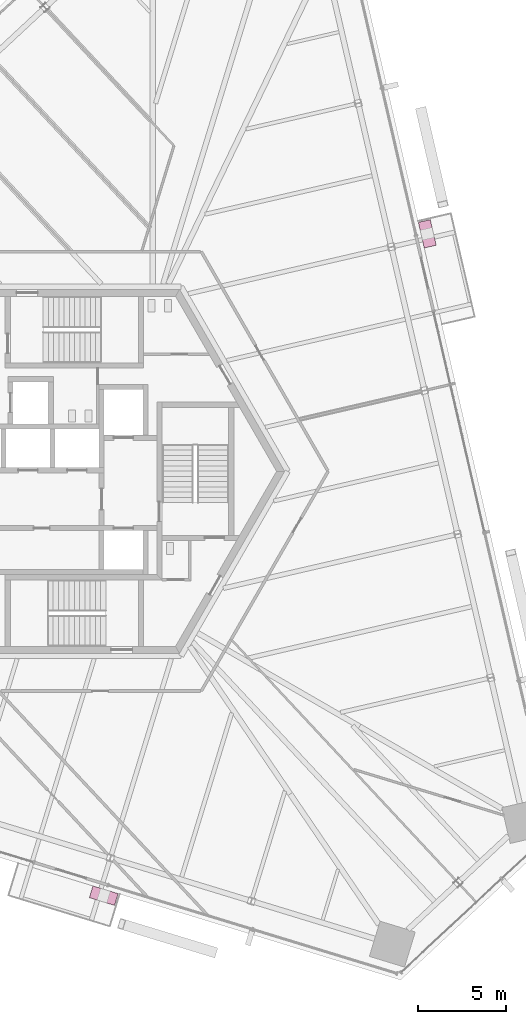
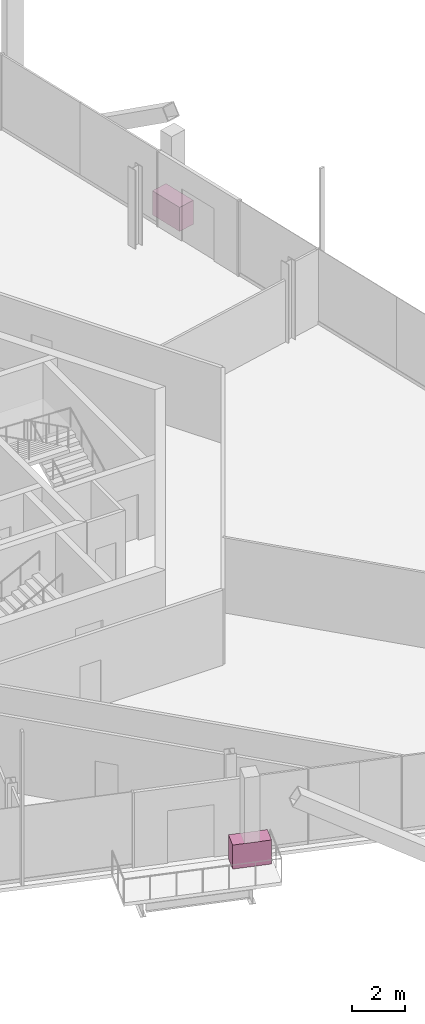
# One storey, part 22 of 23: 2 furniture elements.
"""IFC4 building model written with IfcOpenShell, lengths in metres."""

from ifc_helpers import new_model, si_unit, direction, frame, origin, origin_2d, place, context, subcontext, project, spatial, rectangle, extrude, source, transform, mapped, material, type_object, element, save


model = new_model("IFC4")

# Units and contexts
model_context = context("Model", 3, precision=1e-05, world=origin(), true_north=direction((0.0, 1.0)))
body_context = subcontext(model_context, "Body", "Model", "MODEL_VIEW")
ifc_project = project(units=[si_unit("LENGTHUNIT", "METRE"), si_unit("AREAUNIT", "SQUARE_METRE"), si_unit("VOLUMEUNIT", "CUBIC_METRE"), si_unit("PLANEANGLEUNIT", "RADIAN"), si_unit("MASSUNIT", "GRAM", prefix="KILO")], contexts=[model_context])

# Site, building, storey
site_placement = place(None, origin())
site = spatial("IfcSite", under=ifc_project, at=site_placement, CompositionType="ELEMENT")
building_placement = place(site_placement, origin())
building = spatial("IfcBuilding", under=site, at=building_placement, Name="Triune Harvest Tower", CompositionType="ELEMENT")
storey_placement = place(building_placement, frame((0.0, 0.0, 105.5)))
storey = spatial("IfcBuildingStorey", under=building, at=storey_placement, Name="L26", CompositionType="ELEMENT", Elevation=105.5)

# Furniture
ifc_material = material(Name="Concrete 40 MPa", Category="concrete")
furniture_type = type_object("IfcFurnitureType", Name="PB-1 structural planter", AssemblyPlace="SITE", PredefinedType="USERDEFINED", material=ifc_material)
shared_shape = source(origin(), body_context, "Body", "SweptSolid", [
    extrude(rectangle(XDim=1.5, YDim=0.699951171875, at=origin_2d()), origin(), (0.0, 0.0, 1.0), 1.10009765625),
])
for number, where, z_axis, x_axis, name in (
    (1, (20.140380859375, 13.55810546875, 0.0), (0.0, 0.0, 1.0), (-0.22495121687, 0.974370027263, 0.0), "Planter B3-F1 L26.8b"),
    (2, (1.67138671875, -24.22119140625, 0.0), (0.0, 0.0, 1.0), (0.956304229664, -0.292373426164, 0.0), "Planter B3-F5 L26.8b"),
):
    element("IfcFurniture", number, at=place(storey_placement, frame(where, z_axis=z_axis, x_axis=x_axis)), inside=storey, type_object=furniture_type, Name=name, ObjectType="PLANTER", PredefinedType="USERDEFINED", context=body_context, shape_type="MappedRepresentation", body=[
        mapped(shared_shape, transform((0.0, 0.0, 0.0), scale=1.0)),
    ])

save(model, "model.ifc")
